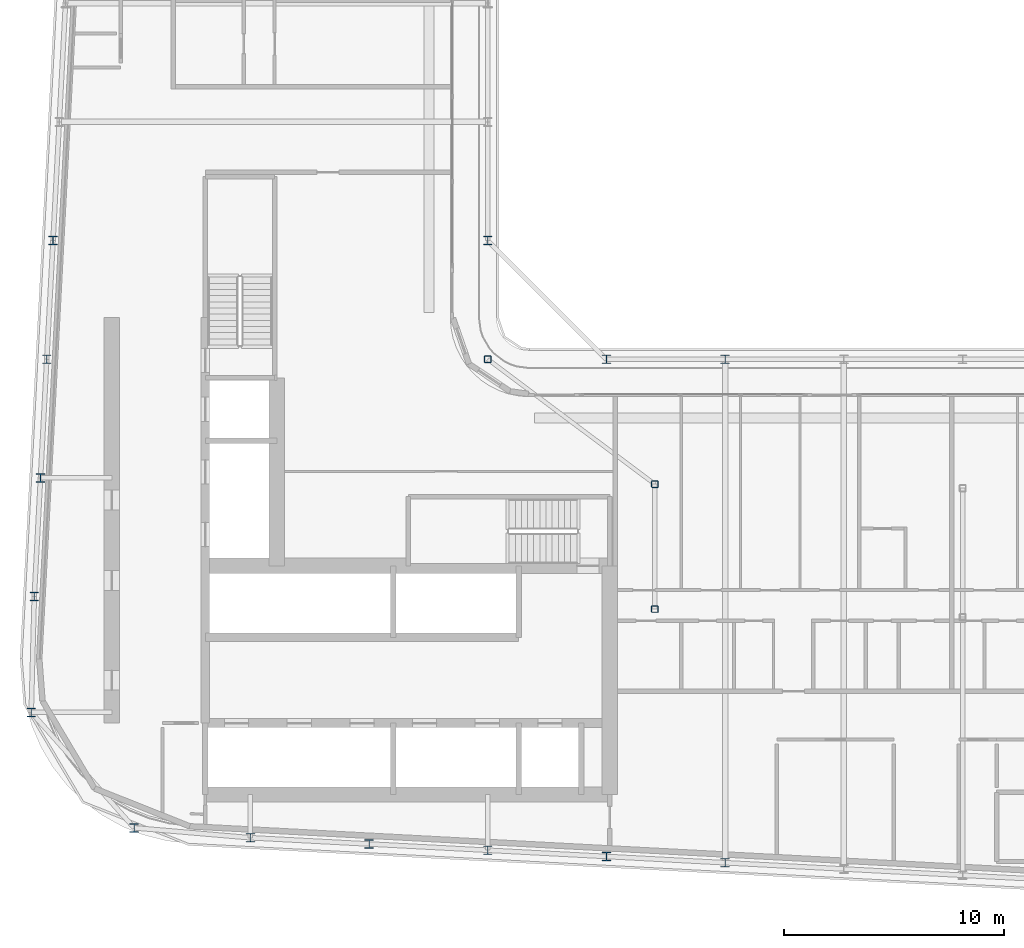
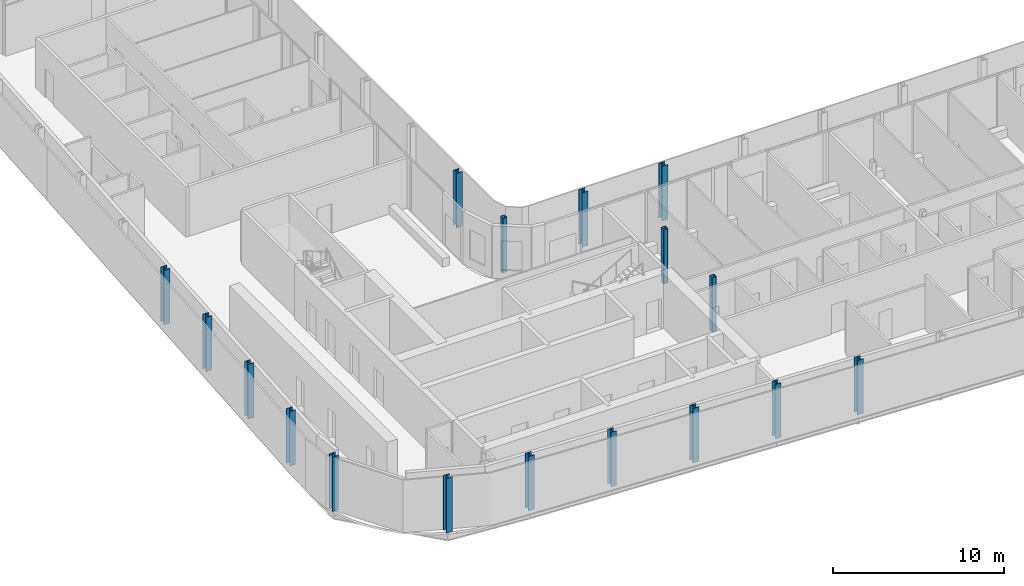
# One storey, part 1 of 23: 17 columns.
"""IFC4 building model written with IfcOpenShell, lengths in metres."""

import ifcopenshell
import ifcopenshell.guid

model = None  # the IFC model being written
_history = None  # IfcOwnerHistory: only IFC2X3 demands one
_inside = {}  # id of a spatial element -> (the spatial element, [elements in it])
_under = {}  # id of a project, library or spatial element -> (it, [spatial elements below it])
_declared = {}  # id of a project -> (the project, [libraries it declares])
_typed = {}  # id of a type object -> (the type object, [elements of that type])
_made_of = {}  # id of a material, layer set ... -> (it, [elements and type objects made of it])


def new_model(schema):
    """Start an empty IFC model of exactly this schema.

    Asked for "IFC4X3", IfcOpenShell would pick the latest addendum, in which some entities
    have other attributes; the version numbers below select the first issue.
    IFC2X3 requires an IfcOwnerHistory on every rooted entity: one is made here for all.
    """
    global model, _history
    if schema == "IFC4X3":
        model = ifcopenshell.file(schema_version=(4, 3, 0, 0))
    else:
        model = ifcopenshell.file(schema=schema)
    _inside.clear()
    _under.clear()
    _declared.clear()
    _typed.clear()
    _made_of.clear()
    _history = None
    if model.schema == "IFC2X3":
        org = make("IfcOrganization", Name="unknown")
        user = make(
            "IfcPersonAndOrganization",
            ThePerson=make("IfcPerson", FamilyName="unknown"),
            TheOrganization=org,
        )
        app = make(
            "IfcApplication",
            ApplicationDeveloper=org,
            Version="unknown",
            ApplicationFullName="unknown",
            ApplicationIdentifier="unknown",
        )
        _history = make(
            "IfcOwnerHistory",
            OwningUser=user,
            OwningApplication=app,
            ChangeAction="ADDED",
            CreationDate=0,
        )
    return model


def make(cls, **values):
    """One entity of the class cls with the attributes given. An attribute that is None is left unset."""
    return model.create_entity(
        cls, **{name: value for name, value in values.items() if value is not None}
    )


def rooted(cls, **values):
    """An entity with a GlobalId (a new one), such as an element, a storey or a relation."""
    return make(cls, GlobalId=ifcopenshell.guid.new(), OwnerHistory=_history, **values)


def si_unit(unit_type, name, prefix=None):
    """IfcSIUnit, for example si_unit("LENGTHUNIT", "METRE", prefix="MILLI")."""
    return make("IfcSIUnit", UnitType=unit_type, Prefix=prefix, Name=name)


def assignment(units):
    """IfcUnitAssignment: the units of a project."""
    return None if units is None else make("IfcUnitAssignment", Units=units)


def point(xyz):
    """IfcCartesianPoint."""
    return None if xyz is None else make("IfcCartesianPoint", Coordinates=xyz)


def direction(xyz):
    """IfcDirection."""
    return None if xyz is None else make("IfcDirection", DirectionRatios=xyz)


def frame(location, z_axis=None, x_axis=None):
    """IfcAxis2Placement3D, a coordinate frame: its origin and axes. An axis left out is left unset."""
    return make(
        "IfcAxis2Placement3D",
        Location=point(location),
        Axis=direction(z_axis),
        RefDirection=direction(x_axis),
    )


def frame_2d(location, x_axis=None):
    """IfcAxis2Placement2D, a coordinate frame in the plane: its origin and x axis."""
    return make(
        "IfcAxis2Placement2D", Location=point(location), RefDirection=direction(x_axis)
    )


def origin():
    """The frame at (0, 0, 0) with its axes left unset."""
    return frame((0.0, 0.0, 0.0))


def origin_2d():
    """The frame at (0, 0) in the plane with its x axis left unset."""
    return frame_2d((0.0, 0.0))


def place(relative_to, where):
    """IfcLocalPlacement: puts the frame where relative to a parent placement (None: the world)."""
    return make(
        "IfcLocalPlacement", PlacementRelTo=relative_to, RelativePlacement=where
    )


def context(
    kind, dimensions, precision=None, world=None, true_north=None, identifier=None
):
    """IfcGeometricRepresentationContext, for example the 3D "Model" context."""
    return make(
        "IfcGeometricRepresentationContext",
        ContextIdentifier=identifier,
        ContextType=kind,
        CoordinateSpaceDimension=dimensions,
        Precision=precision,
        WorldCoordinateSystem=world,
        TrueNorth=true_north,
    )


def subcontext(parent, identifier, kind, view, scale=None):
    """IfcGeometricRepresentationSubContext, for example "Body" below "Model"."""
    return make(
        "IfcGeometricRepresentationSubContext",
        ContextIdentifier=identifier,
        ContextType=kind,
        ParentContext=parent,
        TargetScale=scale,
        TargetView=view,
    )


def project(units=None, contexts=None):
    """IfcProject with its units and contexts."""
    return rooted(
        "IfcProject",
        Name="project",
        RepresentationContexts=contexts,
        UnitsInContext=assignment(units),
    )


def spatial(cls, under=None, at=None, **own):
    """A site, building, storey or space (cls), placed at a placement, below another one or the project."""
    s = rooted(cls, ObjectPlacement=at, **own)
    if under is not None:
        _under.setdefault(under.id(), (under, []))[1].append(s)
    return s


def profile(cls, at=None, kind="AREA", **sizes):
    """A parametric profile (cls). Its sizes go by their IFC names, for example OverallWidth=200.0."""
    return make(cls, ProfileType=kind, Position=at, **sizes)


def hollow_rectangle(**sizes):
    """IfcRectangleHollowProfileDef."""
    return profile("IfcRectangleHollowProfileDef", **sizes)


def i_section(**sizes):
    """IfcIShapeProfileDef."""
    return profile("IfcIShapeProfileDef", **sizes)


def extrude(swept, where, along, depth):
    """IfcExtrudedAreaSolid: the profile swept, set in the frame where, extruded along a direction by depth."""
    return make(
        "IfcExtrudedAreaSolid",
        SweptArea=swept,
        Position=where,
        ExtrudedDirection=direction(along),
        Depth=depth,
    )


def shape(context_of_items, identifier, shape_type, items):
    """IfcShapeRepresentation: the items that make up one representation, for example the "Body"."""
    return make(
        "IfcShapeRepresentation",
        ContextOfItems=context_of_items,
        RepresentationIdentifier=identifier,
        RepresentationType=shape_type,
        Items=items,
    )


def material(Name=None, Category=None):
    """IfcMaterial."""
    return make("IfcMaterial", Name=Name, Category=Category)


def material_profile(
    of_material, cross_section, Name=None, Category=None, Priority=None
):
    """IfcMaterialProfile: a cross section and its material."""
    return make(
        "IfcMaterialProfile",
        Name=Name,
        Material=of_material,
        Profile=cross_section,
        Priority=Priority,
        Category=Category,
    )


def profile_set(profiles, Name=None, composite=None):
    """IfcMaterialProfileSet."""
    return make(
        "IfcMaterialProfileSet",
        Name=Name,
        MaterialProfiles=profiles,
        CompositeProfile=composite,
    )


def made_of(thing, what):
    """Note that an element or type object is made of a material, layer set ...; save() writes the relation."""
    if what is not None:
        _made_of.setdefault(what.id(), (what, []))[1].append(thing)
    return thing


def type_object(cls, material=None, **own):
    """A type object (cls), such as IfcWallType, which elements share."""
    return made_of(rooted(cls, **own), material)


def element(
    cls,
    number,
    at=None,
    inside=None,
    cuts=None,
    type_object=None,
    material=None,
    context=None,
    identifier="Body",
    shape_type=None,
    held_by="IfcProductDefinitionShape",
    body=None,
    shapes=None,
    **own,
):
    """One element of the class cls, such as IfcWall. Its Tag is "e" and its number.

    at: its placement. inside: the storey or other place that contains it. cuts: it is an
    opening in that element (IfcRelVoidsElement). A single representation is given by context,
    identifier, shape_type and body (its items); several are given by shapes. held_by: the class
    of the entity that holds the representations. save() writes the other relations.
    """
    e = rooted(cls, Tag="e%d" % number, ObjectPlacement=at, **own)
    if body is not None:
        shapes = [shape(context, identifier, shape_type, body)]
    if shapes is not None:
        e.Representation = make(held_by, Representations=shapes)
    if inside is not None:
        _inside.setdefault(inside.id(), (inside, []))[1].append(e)
    if cuts is not None:
        rooted(
            "IfcRelVoidsElement", RelatingBuildingElement=cuts, RelatedOpeningElement=e
        )
    if type_object is not None:
        _typed.setdefault(type_object.id(), (type_object, []))[1].append(e)
    return made_of(e, material)


def aggregate(whole, parts):
    """IfcRelAggregates: a whole, such as a stair, and the parts it consists of."""
    return rooted("IfcRelAggregates", RelatingObject=whole, RelatedObjects=parts)


def save(model, path):
    """Write the relations noted so far, then the file.

    IfcRelAggregates (storeys below a building ...), IfcRelContainedInSpatialStructure (elements
    in a storey), IfcRelDefinesByType, IfcRelAssociatesMaterial and IfcRelDeclares: one each for
    every whole, place, type object, material and project.
    """
    for whole, parts in _under.values():
        aggregate(whole, parts)
    for where, things in _inside.values():
        rooted(
            "IfcRelContainedInSpatialStructure",
            RelatedElements=things,
            RelatingStructure=where,
        )
    for kind, things in _typed.values():
        rooted("IfcRelDefinesByType", RelatedObjects=things, RelatingType=kind)
    for what, things in _made_of.values():
        rooted("IfcRelAssociatesMaterial", RelatedObjects=things, RelatingMaterial=what)
    for by, libraries in _declared.values():
        rooted("IfcRelDeclares", RelatingContext=by, RelatedDefinitions=libraries)
    model.write(path)


model = new_model("IFC4")

# Units and contexts
model_context = context("Model", 3, precision=1e-05, world=origin(), true_north=direction((0.0, 1.0)))
body_context = subcontext(model_context, "Body", "Model", "MODEL_VIEW")
ifc_project = project(units=[si_unit("LENGTHUNIT", "METRE"), si_unit("AREAUNIT", "SQUARE_METRE"), si_unit("VOLUMEUNIT", "CUBIC_METRE"), si_unit("PLANEANGLEUNIT", "RADIAN"), si_unit("MASSUNIT", "GRAM", prefix="KILO")], contexts=[model_context])

# Site, building, storey
site_placement = place(None, origin())
site = spatial("IfcSite", under=ifc_project, at=site_placement, CompositionType="ELEMENT")
building_placement = place(site_placement, origin())
building = spatial("IfcBuilding", under=site, at=building_placement, Name="Kheshtan School and Residences Tower", CompositionType="ELEMENT")
storey_placement = place(building_placement, frame((0.0, 0.0, 243.5)))
storey = spatial("IfcBuildingStorey", under=building, at=storey_placement, Name="L57", CompositionType="ELEMENT", Elevation=243.5)

# Columns
ifc_material_1 = material(Name="Steel ASTM A992 Grade 50", Category="steel")
ifc_material_profile_1 = material_profile(ifc_material_1, i_section(OverallWidth=0.404052734375, OverallDepth=0.406982421875, WebThickness=0.027099609375, FlangeThickness=0.043701171875, FilletRadius=0.01220703125, at=origin_2d()), Name="W360x347")
ifc_profile_set_1 = profile_set([ifc_material_profile_1], Name="Steel ASTM A992 Grade 50")
column_type_1 = type_object("IfcColumnType", Name="Column C4 W360x347 ASTM A992 Grade 50", PredefinedType="COLUMN", material=ifc_profile_set_1)
for number, where, z_axis, x_axis, name in (
    (1, (58.39990234375, 22.695068359375, 0.0), (0.0, 0.0, 1.0), (1.0, 0.0, 0.0), "Column C018"),
    (2, (53.0, 22.97998046875, 0.0), (0.0, 0.0, 1.0), (1.0, 0.0, 0.0), "Column C019"),
    (3, (47.60009765625, 23.263916015625, 0.0), (0.0, 0.0, 1.0), (1.0, 0.0, 0.0), "Column C020"),
    (4, (42.199951171875, 23.548095703125, 0.0), (0.0, 0.0, 1.0), (1.0, 0.0, 0.0), "Column C021"),
    (5, (36.800048828125, 23.83203125, 0.0), (0.0, 0.0, 1.0), (1.0, 0.0, 0.0), "Column C022"),
    (6, (31.510009765625, 24.282958984375, 0.0), (0.0, 0.0, 1.0), (1.0, 0.0, 0.0), "Column C030"),
    (7, (26.830078125, 29.5380859375, 0.0), (0.0, 0.0, 1.0), (1.0, 0.0, 0.0), "Column C043"),
    (8, (26.968994140625, 34.800048828125, 0.0), (0.0, 0.0, 1.0), (1.0, 0.0, 0.0), "Column C052"),
    (9, (27.2529296875, 40.199951171875, 0.0), (0.0, 0.0, 1.0), (1.0, 0.0, 0.0), "Column C056"),
    (10, (27.537109375, 45.60009765625, 0.0), (0.0, 0.0, 1.0), (1.0, 0.0, 0.0), "Column C059"),
    (11, (53.0, 45.60009765625, 0.0), (0.0, 0.0, 1.0), (1.0, 0.0, 0.0), "Column C061"),
    (12, (58.39990234375, 45.60009765625, 0.0), (0.0, 0.0, 1.0), (1.0, 0.0, 0.0), "Column C062"),
    (13, (27.822021484375, 51.0, 0.0), (0.0, 0.0, 1.0), (1.0, 0.0, 0.0), "Column C078"),
    (14, (47.60009765625, 51.0, 0.0), (0.0, 0.0, 1.0), (1.0, 0.0, 0.0), "Column C079"),
):
    element("IfcColumn", number, at=place(storey_placement, frame(where, z_axis=z_axis, x_axis=x_axis)), inside=storey, type_object=column_type_1, Name=name, PredefinedType="COLUMN", context=body_context, shape_type="SweptSolid", body=[
        extrude(i_section(OverallWidth=0.404052734375, OverallDepth=0.406982421875, WebThickness=0.027099609375, FlangeThickness=0.043701171875, FilletRadius=0.01220703125, at=origin_2d()), origin(), (0.0, 0.0, 1.0), 3.89990234375),
    ])
ifc_material_2 = material(Name="Steel ASTM A500 Grade C", Category="steel")
ifc_material_profile_2 = material_profile(ifc_material_2, hollow_rectangle(XDim=0.304931640625, YDim=0.304931640625, WallThickness=0.015869140625, InnerFilletRadius=0.015869140625, OuterFilletRadius=0.03173828125, at=origin_2d()), Name="HSS 305x305x15.9")
ifc_profile_set_2 = profile_set([ifc_material_profile_2], Name="Steel ASTM A500 Grade C")
column_type_2 = type_object("IfcColumnType", Name="Column IC2 HSS 305x305x15.9 ASTM A500 Grade C", PredefinedType="COLUMN", material=ifc_profile_set_2)
for number, where, z_axis, x_axis, name in (
    (15, (55.199951171875, 34.23193359375, 0.0), (0.0, 0.0, 1.0), (1.0, 0.0, 0.0), "Column C051"),
    (16, (55.199951171875, 39.916015625, 0.0), (0.0, 0.0, 1.0), (1.0, 0.0, 0.0), "Column C055"),
    (17, (47.60009765625, 45.60009765625, 0.0), (0.0, 0.0, 1.0), (1.0, 0.0, 0.0), "Column C060"),
):
    element("IfcColumn", number, at=place(storey_placement, frame(where, z_axis=z_axis, x_axis=x_axis)), inside=storey, type_object=column_type_2, Name=name, PredefinedType="COLUMN", context=body_context, shape_type="SweptSolid", body=[
        extrude(hollow_rectangle(XDim=0.304931640625, YDim=0.304931640625, WallThickness=0.015869140625, InnerFilletRadius=0.015869140625, OuterFilletRadius=0.03173828125, at=origin_2d()), origin(), (0.0, 0.0, 1.0), 3.89990234375),
    ])

save(model, "model.ifc")
